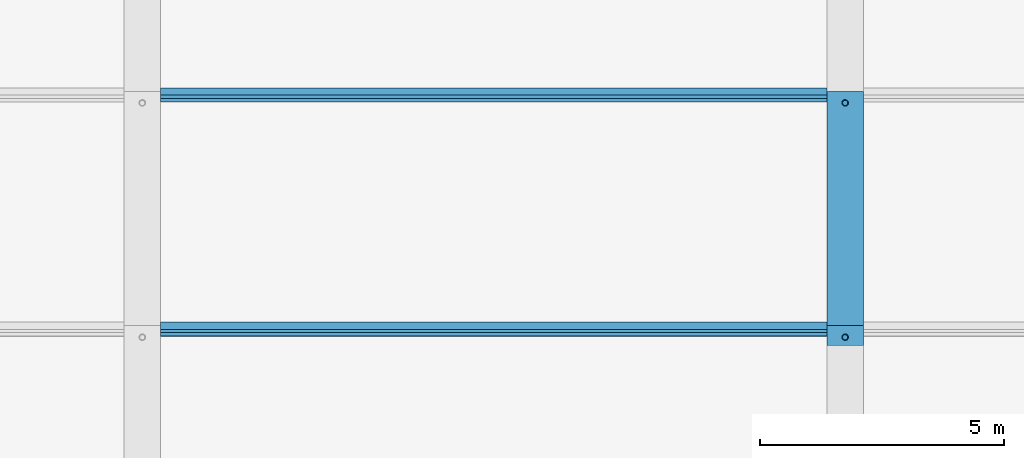
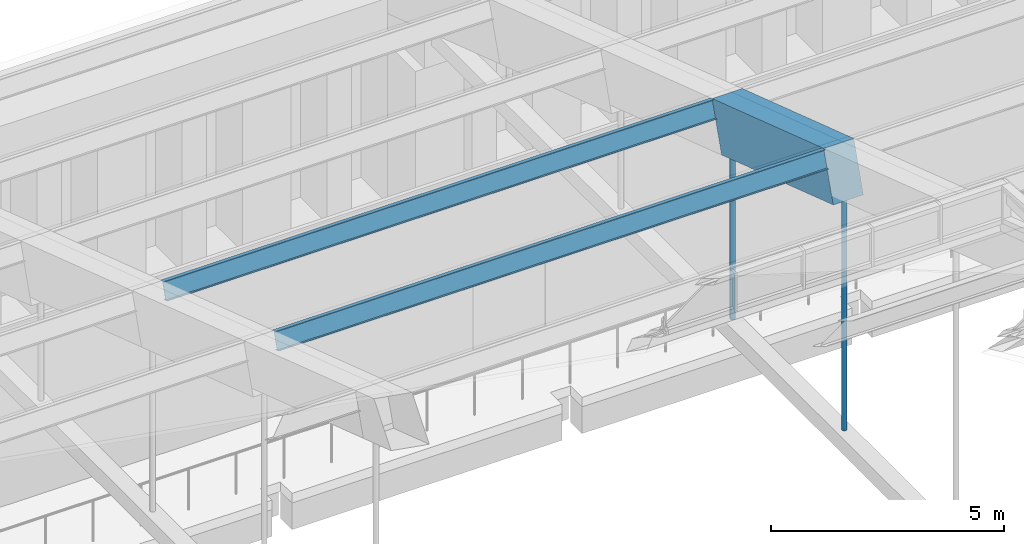
# One storey, part 44 of 149: 4 members, 1 beam.
"""IFC4 building model written with IfcOpenShell, lengths in metres."""

from ifc_helpers import new_model, si_unit, direction, frame, origin, origin_2d, place, context, subcontext, project, spatial, rectangle, hollow_circle, i_section, extrude, material, material_profile, profile_set, type_object, element, save


model = new_model("IFC4")

# Units and contexts
model_context = context("Model", 3, precision=1e-05, world=origin(), true_north=direction((0.0, 1.0)))
body_context = subcontext(model_context, "Body", "Model", "MODEL_VIEW")
ifc_project = project(units=[si_unit("LENGTHUNIT", "METRE"), si_unit("AREAUNIT", "SQUARE_METRE"), si_unit("VOLUMEUNIT", "CUBIC_METRE"), si_unit("PLANEANGLEUNIT", "RADIAN"), si_unit("MASSUNIT", "GRAM", prefix="KILO")], contexts=[model_context])

# Site, building, storey
site_placement = place(None, origin())
site = spatial("IfcSite", under=ifc_project, at=site_placement, CompositionType="ELEMENT")
building_placement = place(site_placement, origin())
building = spatial("IfcBuilding", under=site, at=building_placement, Name="Alderwick Market Hall", CompositionType="ELEMENT")
storey_placement = place(building_placement, frame((0.0, 0.0, 9.60009765625)))
storey = spatial("IfcBuildingStorey", under=building, at=storey_placement, Name="L01", CompositionType="ELEMENT", Elevation=9.60009765625)

# Beam
ifc_material_1 = material(Name="Concrete 5000 psi (f'c 35 MPa)", Category="concrete")
ifc_material_profile_1 = material_profile(ifc_material_1, rectangle(XDim=0.75, YDim=1.300048828125, at=origin_2d()), Name="RC 750x1300")
ifc_profile_set_1 = profile_set([ifc_material_profile_1], Name="Concrete 5000 psi (f'c 35 MPa)")
beam_type = type_object("IfcBeamType", Name="R Arch Rib Haunch 750x1300", PredefinedType="BEAM", material=ifc_profile_set_1)
beam_placement = place(storey_placement, frame((79.199951171875, 88.83154296875, 13.0947265625), z_axis=(0.0, 0.948692948114, -0.316198814353), x_axis=(-1.0, 0.0, 0.0)))
element("IfcBeam", 1, at=beam_placement, inside=storey, type_object=beam_type, Name="Arch rib 3 chord 9", PredefinedType="BEAM", context=body_context, shape_type="SweptSolid", body=[
    extrude(rectangle(XDim=0.75, YDim=1.300048828125, at=origin_2d()), origin(), (0.0, 0.0, 1.0), 5.0595703125),
])

# Members
ifc_material_2 = material(Name="Steel ASTM A500 Grade C", Category="steel")
ifc_material_profile_2 = material_profile(ifc_material_2, hollow_circle(Radius=0.0634765625, WallThickness=0.005859375, at=origin_2d()), Name="HSS5.000x0.250")
ifc_profile_set_2 = profile_set([ifc_material_profile_2], Name="Steel ASTM A500 Grade C")
member_type_1 = type_object("IfcMemberType", Name="R Hanger HSS5.000x0.250", PredefinedType="POST", material=ifc_profile_set_2)
member_1_placement = place(storey_placement, frame((79.199951171875, 88.800048828125, 6.35302734375), z_axis=(0.0, 0.0, 1.0), x_axis=(1.0, 0.0, 0.0)))
element("IfcMember", 2, at=member_1_placement, inside=storey, type_object=member_type_1, Name="Arch hanger 3.8", PredefinedType="POST", context=body_context, shape_type="SweptSolid", body=[
    extrude(hollow_circle(Radius=0.0634765625, WallThickness=0.005859375, at=origin_2d()), origin(), (0.0, 0.0, 1.0), 6.0458984375),
])
member_2_placement = place(storey_placement, frame((79.199951171875, 93.60009765625, 6.35302734375), z_axis=(0.0, 0.0, 1.0), x_axis=(1.0, 0.0, 0.0)))
element("IfcMember", 3, at=member_2_placement, inside=storey, type_object=member_type_1, Name="Arch hanger 3.9", PredefinedType="POST", context=body_context, shape_type="SweptSolid", body=[
    extrude(hollow_circle(Radius=0.0634765625, WallThickness=0.005859375, at=origin_2d()), origin(), (0.0, 0.0, 1.0), 4.446044921875),
])
ifc_material_3 = material(Name="Steel ASTM A992 Grade 50", Category="steel")
ifc_material_profile_3 = material_profile(ifc_material_3, i_section(OverallWidth=0.153076171875, OverallDepth=0.455078125, WebThickness=0.008056640625, FlangeThickness=0.01318359375, at=origin_2d()), Name="W18x40")
ifc_profile_set_3 = profile_set([ifc_material_profile_3], Name="Steel ASTM A992 Grade 50")
member_type_2 = type_object("IfcMemberType", Name="R Purlin W18x40", PredefinedType="PURLIN", material=ifc_profile_set_3)
for number, where, z_axis, x_axis, name in (
    (4, (65.175048828125, 88.96337890625, 13.489990234375), (1.0, 0.0, 0.0), (0.0, 0.948683297073, -0.316227768949), "Roof purlin 9.2"),
    (5, (65.175048828125, 93.763427734375, 11.889892578125), (1.0, 0.0, 0.0), (0.0, 0.948683297073, -0.316227768949), "Roof purlin 10.2"),
):
    element("IfcMember", number, at=place(storey_placement, frame(where, z_axis=z_axis, x_axis=x_axis)), inside=storey, type_object=member_type_2, Name=name, PredefinedType="PURLIN", context=body_context, shape_type="SweptSolid", body=[
        extrude(i_section(OverallWidth=0.153076171875, OverallDepth=0.455078125, WebThickness=0.008056640625, FlangeThickness=0.01318359375, at=origin_2d()), origin(), (0.0, 0.0, 1.0), 13.64990234375),
    ])

save(model, "model.ifc")
